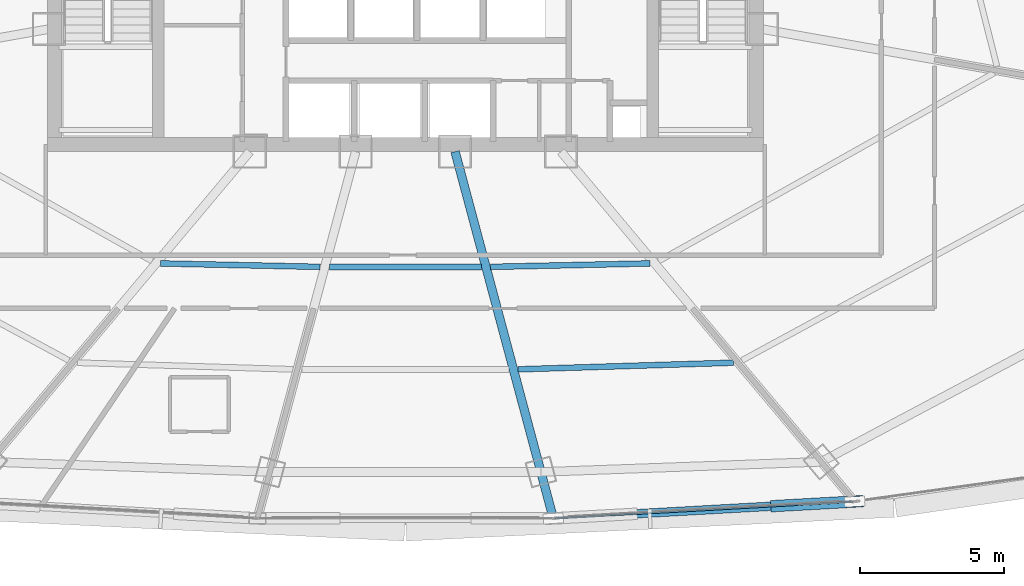
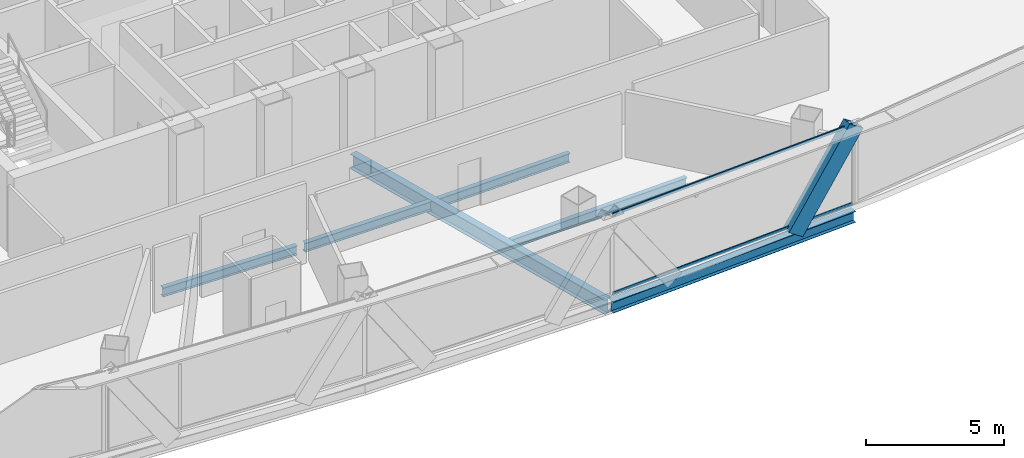
# One storey, part 13 of 38: 6 beams, 3 members, 1 element without a shape of its own.
"""IFC4 building model written with IfcOpenShell, lengths in metres."""

import ifcopenshell
import ifcopenshell.guid

model = None  # the IFC model being written
_history = None  # IfcOwnerHistory: only IFC2X3 demands one
_inside = {}  # id of a spatial element -> (the spatial element, [elements in it])
_under = {}  # id of a project, library or spatial element -> (it, [spatial elements below it])
_declared = {}  # id of a project -> (the project, [libraries it declares])
_typed = {}  # id of a type object -> (the type object, [elements of that type])
_made_of = {}  # id of a material, layer set ... -> (it, [elements and type objects made of it])


def new_model(schema):
    """Start an empty IFC model of exactly this schema.

    Asked for "IFC4X3", IfcOpenShell would pick the latest addendum, in which some entities
    have other attributes; the version numbers below select the first issue.
    IFC2X3 requires an IfcOwnerHistory on every rooted entity: one is made here for all.
    """
    global model, _history
    if schema == "IFC4X3":
        model = ifcopenshell.file(schema_version=(4, 3, 0, 0))
    else:
        model = ifcopenshell.file(schema=schema)
    _inside.clear()
    _under.clear()
    _declared.clear()
    _typed.clear()
    _made_of.clear()
    _history = None
    if model.schema == "IFC2X3":
        org = make("IfcOrganization", Name="unknown")
        user = make(
            "IfcPersonAndOrganization",
            ThePerson=make("IfcPerson", FamilyName="unknown"),
            TheOrganization=org,
        )
        app = make(
            "IfcApplication",
            ApplicationDeveloper=org,
            Version="unknown",
            ApplicationFullName="unknown",
            ApplicationIdentifier="unknown",
        )
        _history = make(
            "IfcOwnerHistory",
            OwningUser=user,
            OwningApplication=app,
            ChangeAction="ADDED",
            CreationDate=0,
        )
    return model


def make(cls, **values):
    """One entity of the class cls with the attributes given. An attribute that is None is left unset."""
    return model.create_entity(
        cls, **{name: value for name, value in values.items() if value is not None}
    )


def rooted(cls, **values):
    """An entity with a GlobalId (a new one), such as an element, a storey or a relation."""
    return make(cls, GlobalId=ifcopenshell.guid.new(), OwnerHistory=_history, **values)


def si_unit(unit_type, name, prefix=None):
    """IfcSIUnit, for example si_unit("LENGTHUNIT", "METRE", prefix="MILLI")."""
    return make("IfcSIUnit", UnitType=unit_type, Prefix=prefix, Name=name)


def assignment(units):
    """IfcUnitAssignment: the units of a project."""
    return None if units is None else make("IfcUnitAssignment", Units=units)


def point(xyz):
    """IfcCartesianPoint."""
    return None if xyz is None else make("IfcCartesianPoint", Coordinates=xyz)


def direction(xyz):
    """IfcDirection."""
    return None if xyz is None else make("IfcDirection", DirectionRatios=xyz)


def frame(location, z_axis=None, x_axis=None):
    """IfcAxis2Placement3D, a coordinate frame: its origin and axes. An axis left out is left unset."""
    return make(
        "IfcAxis2Placement3D",
        Location=point(location),
        Axis=direction(z_axis),
        RefDirection=direction(x_axis),
    )


def frame_2d(location, x_axis=None):
    """IfcAxis2Placement2D, a coordinate frame in the plane: its origin and x axis."""
    return make(
        "IfcAxis2Placement2D", Location=point(location), RefDirection=direction(x_axis)
    )


def origin():
    """The frame at (0, 0, 0) with its axes left unset."""
    return frame((0.0, 0.0, 0.0))


def origin_2d():
    """The frame at (0, 0) in the plane with its x axis left unset."""
    return frame_2d((0.0, 0.0))


def place(relative_to, where):
    """IfcLocalPlacement: puts the frame where relative to a parent placement (None: the world)."""
    return make(
        "IfcLocalPlacement", PlacementRelTo=relative_to, RelativePlacement=where
    )


def context(
    kind, dimensions, precision=None, world=None, true_north=None, identifier=None
):
    """IfcGeometricRepresentationContext, for example the 3D "Model" context."""
    return make(
        "IfcGeometricRepresentationContext",
        ContextIdentifier=identifier,
        ContextType=kind,
        CoordinateSpaceDimension=dimensions,
        Precision=precision,
        WorldCoordinateSystem=world,
        TrueNorth=true_north,
    )


def subcontext(parent, identifier, kind, view, scale=None):
    """IfcGeometricRepresentationSubContext, for example "Body" below "Model"."""
    return make(
        "IfcGeometricRepresentationSubContext",
        ContextIdentifier=identifier,
        ContextType=kind,
        ParentContext=parent,
        TargetScale=scale,
        TargetView=view,
    )


def project(units=None, contexts=None):
    """IfcProject with its units and contexts."""
    return rooted(
        "IfcProject",
        Name="project",
        RepresentationContexts=contexts,
        UnitsInContext=assignment(units),
    )


def spatial(cls, under=None, at=None, **own):
    """A site, building, storey or space (cls), placed at a placement, below another one or the project."""
    s = rooted(cls, ObjectPlacement=at, **own)
    if under is not None:
        _under.setdefault(under.id(), (under, []))[1].append(s)
    return s


def profile(cls, at=None, kind="AREA", **sizes):
    """A parametric profile (cls). Its sizes go by their IFC names, for example OverallWidth=200.0."""
    return make(cls, ProfileType=kind, Position=at, **sizes)


def hollow_rectangle(**sizes):
    """IfcRectangleHollowProfileDef."""
    return profile("IfcRectangleHollowProfileDef", **sizes)


def i_section(**sizes):
    """IfcIShapeProfileDef."""
    return profile("IfcIShapeProfileDef", **sizes)


def extrude(swept, where, along, depth):
    """IfcExtrudedAreaSolid: the profile swept, set in the frame where, extruded along a direction by depth."""
    return make(
        "IfcExtrudedAreaSolid",
        SweptArea=swept,
        Position=where,
        ExtrudedDirection=direction(along),
        Depth=depth,
    )


def shape(context_of_items, identifier, shape_type, items):
    """IfcShapeRepresentation: the items that make up one representation, for example the "Body"."""
    return make(
        "IfcShapeRepresentation",
        ContextOfItems=context_of_items,
        RepresentationIdentifier=identifier,
        RepresentationType=shape_type,
        Items=items,
    )


def source(mapping_origin, context_of_items, identifier, shape_type, items):
    """IfcRepresentationMap: a shape defined once, which mapped items show again and again."""
    return make(
        "IfcRepresentationMap",
        MappingOrigin=mapping_origin,
        MappedRepresentation=shape(context_of_items, identifier, shape_type, items),
    )


def transform(
    local_origin,
    x_axis=None,
    y_axis=None,
    z_axis=None,
    scale=None,
    scale2=None,
    scale3=None,
    uniform=True,
):
    """IfcCartesianTransformationOperator3D, or its non-uniform kind. x_axis, y_axis, z_axis: its Axis1, 2, 3."""
    if uniform:
        return make(
            "IfcCartesianTransformationOperator3D",
            Axis1=direction(x_axis),
            Axis2=direction(y_axis),
            LocalOrigin=point(local_origin),
            Scale=scale,
            Axis3=direction(z_axis),
        )
    return make(
        "IfcCartesianTransformationOperator3DnonUniform",
        Axis1=direction(x_axis),
        Axis2=direction(y_axis),
        LocalOrigin=point(local_origin),
        Scale=scale,
        Axis3=direction(z_axis),
        Scale2=scale2,
        Scale3=scale3,
    )


def mapped(mapping_source, mapping_target):
    """IfcMappedItem: shows the shape of a source again, moved by a transform."""
    return make(
        "IfcMappedItem", MappingSource=mapping_source, MappingTarget=mapping_target
    )


def material(Name=None, Category=None):
    """IfcMaterial."""
    return make("IfcMaterial", Name=Name, Category=Category)


def layer(
    of_material, thickness, ventilated=None, Name=None, Category=None, Priority=None
):
    """IfcMaterialLayer: one layer of a wall or slab, of a material (None: an air gap)."""
    return make(
        "IfcMaterialLayer",
        Material=of_material,
        LayerThickness=thickness,
        IsVentilated=ventilated,
        Name=Name,
        Category=Category,
        Priority=Priority,
    )


def layer_set(layers, Name=None):
    """IfcMaterialLayerSet."""
    return make("IfcMaterialLayerSet", MaterialLayers=layers, LayerSetName=Name)


def material_profile(
    of_material, cross_section, Name=None, Category=None, Priority=None
):
    """IfcMaterialProfile: a cross section and its material."""
    return make(
        "IfcMaterialProfile",
        Name=Name,
        Material=of_material,
        Profile=cross_section,
        Priority=Priority,
        Category=Category,
    )


def profile_set(profiles, Name=None, composite=None):
    """IfcMaterialProfileSet."""
    return make(
        "IfcMaterialProfileSet",
        Name=Name,
        MaterialProfiles=profiles,
        CompositeProfile=composite,
    )


def made_of(thing, what):
    """Note that an element or type object is made of a material, layer set ...; save() writes the relation."""
    if what is not None:
        _made_of.setdefault(what.id(), (what, []))[1].append(thing)
    return thing


def type_object(cls, material=None, **own):
    """A type object (cls), such as IfcWallType, which elements share."""
    return made_of(rooted(cls, **own), material)


def element(
    cls,
    number,
    at=None,
    inside=None,
    cuts=None,
    type_object=None,
    material=None,
    context=None,
    identifier="Body",
    shape_type=None,
    held_by="IfcProductDefinitionShape",
    body=None,
    shapes=None,
    **own,
):
    """One element of the class cls, such as IfcWall. Its Tag is "e" and its number.

    at: its placement. inside: the storey or other place that contains it. cuts: it is an
    opening in that element (IfcRelVoidsElement). A single representation is given by context,
    identifier, shape_type and body (its items); several are given by shapes. held_by: the class
    of the entity that holds the representations. save() writes the other relations.
    """
    e = rooted(cls, Tag="e%d" % number, ObjectPlacement=at, **own)
    if body is not None:
        shapes = [shape(context, identifier, shape_type, body)]
    if shapes is not None:
        e.Representation = make(held_by, Representations=shapes)
    if inside is not None:
        _inside.setdefault(inside.id(), (inside, []))[1].append(e)
    if cuts is not None:
        rooted(
            "IfcRelVoidsElement", RelatingBuildingElement=cuts, RelatedOpeningElement=e
        )
    if type_object is not None:
        _typed.setdefault(type_object.id(), (type_object, []))[1].append(e)
    return made_of(e, material)


def aggregate(whole, parts):
    """IfcRelAggregates: a whole, such as a stair, and the parts it consists of."""
    return rooted("IfcRelAggregates", RelatingObject=whole, RelatedObjects=parts)


def save(model, path):
    """Write the relations noted so far, then the file.

    IfcRelAggregates (storeys below a building ...), IfcRelContainedInSpatialStructure (elements
    in a storey), IfcRelDefinesByType, IfcRelAssociatesMaterial and IfcRelDeclares: one each for
    every whole, place, type object, material and project.
    """
    for whole, parts in _under.values():
        aggregate(whole, parts)
    for where, things in _inside.values():
        rooted(
            "IfcRelContainedInSpatialStructure",
            RelatedElements=things,
            RelatingStructure=where,
        )
    for kind, things in _typed.values():
        rooted("IfcRelDefinesByType", RelatedObjects=things, RelatingType=kind)
    for what, things in _made_of.values():
        rooted("IfcRelAssociatesMaterial", RelatedObjects=things, RelatingMaterial=what)
    for by, libraries in _declared.values():
        rooted("IfcRelDeclares", RelatingContext=by, RelatedDefinitions=libraries)
    model.write(path)


model = new_model("IFC4")

# Units and contexts
model_context = context("Model", 3, precision=1e-05, world=origin(), true_north=direction((0.0, 1.0)))
body_context = subcontext(model_context, "Body", "Model", "MODEL_VIEW")
ifc_project = project(units=[si_unit("LENGTHUNIT", "METRE"), si_unit("AREAUNIT", "SQUARE_METRE"), si_unit("VOLUMEUNIT", "CUBIC_METRE"), si_unit("PLANEANGLEUNIT", "RADIAN"), si_unit("MASSUNIT", "GRAM", prefix="KILO"), si_unit("THERMODYNAMICTEMPERATUREUNIT", "KELVIN"), si_unit("POWERUNIT", "WATT")], contexts=[model_context])

# Site, building, storey
site_placement = place(None, origin())
site = spatial("IfcSite", under=ifc_project, at=site_placement, CompositionType="ELEMENT")
building_placement = place(site_placement, origin())
building = spatial("IfcBuilding", under=site, at=building_placement, Name="Yunzhuo Pagoda Commons", CompositionType="ELEMENT")
storey_placement = place(building_placement, frame((0.0, 0.0, 203.760009765625)))
storey = spatial("IfcBuildingStorey", under=building, at=storey_placement, Name="L51", CompositionType="ELEMENT", Elevation=203.760009765625)

# Beams
ifc_material_1 = material(Name="Structural steel Q355B", Category="steel")
ifc_material_profile_1 = material_profile(ifc_material_1, i_section(OverallWidth=0.199951171875, OverallDepth=0.39990234375, WebThickness=0.008056640625, FlangeThickness=0.012939453125, at=origin_2d()), Name="Structural steel Q355B")
ifc_profile_set_1 = profile_set([ifc_material_profile_1], Name="Structural steel Q355B")
beam_type_1 = type_object("IfcBeamType", Name="B-JS1 Joist HN 400x200x8x13", PredefinedType="JOIST", material=ifc_profile_set_1)
shared_shape_1 = source(origin(), body_context, "Body", "SweptSolid", [
    extrude(i_section(OverallWidth=0.199951171875, OverallDepth=0.39990234375, WebThickness=0.008056640625, FlangeThickness=0.012939453125, at=origin_2d()), origin(), (0.0, 0.0, 1.0), 5.550537109375),
])
for number, where, z_axis, x_axis, name in (
    (1, (39.489013671875, 23.3642578125, -0.4599609375), (0.99976582056, -0.021640333643, 0.0), (0.021640333643, 0.99976582056, 0.0), "L51 composite ring joist 1.1"),
    (2, (50.961669921875, 23.244140625, -0.4599609375), (0.99976582056, 0.021640333643, 0.0), (-0.021640333643, 0.99976582056, 0.0), "L51 composite ring joist 1.3"),
):
    element("IfcBeam", number, at=place(storey_placement, frame(where, z_axis=z_axis, x_axis=x_axis)), inside=storey, type_object=beam_type_1, Name=name, PredefinedType="JOIST", context=body_context, shape_type="MappedRepresentation", body=[
        mapped(shared_shape_1, transform((0.0, 0.0, 0.0), scale=1.0)),
    ])
shared_shape_2 = source(origin(), body_context, "Body", "SweptSolid", [
    extrude(i_section(OverallWidth=0.199951171875, OverallDepth=0.39990234375, WebThickness=0.008056640625, FlangeThickness=0.012939453125, at=origin_2d()), origin(), (0.0, 0.0, 1.0), 7.49365234375),
])
beam_1_placement = place(storey_placement, frame((51.91650390625, 19.68115234375, -0.4599609375), z_axis=(0.99952593018, 0.030788226605, 0.0), x_axis=(-0.030788226605, 0.99952593018, 0.0)))
element("IfcBeam", 3, at=beam_1_placement, inside=storey, type_object=beam_type_1, Name="L51 composite ring joist 2.3", PredefinedType="JOIST", context=body_context, shape_type="MappedRepresentation", body=[
    mapped(shared_shape_2, transform((0.0, 0.0, 0.0), scale=1.0)),
])
shared_shape_3 = source(origin(), body_context, "Body", "SweptSolid", [
    extrude(i_section(OverallWidth=0.199951171875, OverallDepth=0.39990234375, WebThickness=0.008056640625, FlangeThickness=0.012939453125, at=origin_2d()), origin(), (0.0, 0.0, 1.0), 5.287109375),
])
beam_2_placement = place(storey_placement, frame((45.3564453125, 23.24072265625, -0.4599609375), z_axis=(1.0, 0.0, 0.0), x_axis=(0.0, 1.0, 0.0)))
element("IfcBeam", 4, at=beam_2_placement, inside=storey, type_object=beam_type_1, Name="L51 composite ring joist 1.2", PredefinedType="JOIST", context=body_context, shape_type="MappedRepresentation", body=[
    mapped(shared_shape_3, transform((0.0, 0.0, 0.0), scale=1.0)),
])
ifc_material_profile_2 = material_profile(ifc_material_1, i_section(OverallWidth=0.300048828125, OverallDepth=0.64990234375, WebThickness=0.012939453125, FlangeThickness=0.02197265625, at=origin_2d()), Name="Structural steel Q355B")
ifc_profile_set_2 = profile_set([ifc_material_profile_2], Name="Structural steel Q355B")
beam_type_2 = type_object("IfcBeamType", Name="B-RG2 Beam HN 650x300x13x22", PredefinedType="BEAM", material=ifc_profile_set_2)
shared_shape_4 = source(origin(), body_context, "Body", "SweptSolid", [
    extrude(i_section(OverallWidth=0.300048828125, OverallDepth=0.64990234375, WebThickness=0.012939453125, FlangeThickness=0.02197265625, at=origin_2d()), origin(), (0.0, 0.0, 1.0), 13.048095703125),
])
beam_3_placement = place(storey_placement, frame((53.10546875, 14.646484375, -0.5849609375), z_axis=(-0.258808411575, 0.965928675472, 0.0), x_axis=(-0.965928675472, -0.258808411575, 0.0)))
element("IfcBeam", 5, at=beam_3_placement, inside=storey, type_object=beam_type_2, Name="L51 radial floor girder F1C3", PredefinedType="BEAM", context=body_context, shape_type="MappedRepresentation", body=[
    mapped(shared_shape_4, transform((0.0, 0.0, 0.0), scale=1.0)),
])
ifc_material_profile_3 = material_profile(ifc_material_1, i_section(OverallWidth=0.300048828125, OverallDepth=0.488037109375, WebThickness=0.010986328125, FlangeThickness=0.01806640625, at=origin_2d()), Name="Structural steel Q355B")
ifc_profile_set_3 = profile_set([ifc_material_profile_3], Name="Structural steel Q355B")
beam_type_3 = type_object("IfcBeamType", Name="B-SP1 Beam HM 488x300x11x18", PredefinedType="BEAM", material=ifc_profile_set_3)
shared_shape_5 = source(origin(), body_context, "Body", "SweptSolid", [
    extrude(i_section(OverallWidth=0.300048828125, OverallDepth=0.488037109375, WebThickness=0.010986328125, FlangeThickness=0.01806640625, at=origin_2d()), origin(), (0.0, 0.0, 1.0), 10.49267578125),
])
beam_4_placement = place(storey_placement, frame((53.1455078125, 14.496826171875, -0.503662109375), z_axis=(0.998439593407, 0.055842441895, 0.0), x_axis=(-0.055842441895, 0.998439593407, 0.0)))
element("IfcBeam", 6, at=beam_4_placement, inside=storey, type_object=beam_type_3, Name="L51 facade edge spandrel beam F1.3", PredefinedType="BEAM", context=body_context, shape_type="MappedRepresentation", body=[
    mapped(shared_shape_5, transform((0.0, 0.0, 0.0), scale=1.0)),
])

# Member
ifc_material_profile_4 = material_profile(ifc_material_1, hollow_rectangle(XDim=0.39990234375, YDim=0.719970703125, WallThickness=0.02392578125, at=origin_2d()), Name="Structural steel Q355B")
ifc_profile_set_4 = profile_set([ifc_material_profile_4], Name="Structural steel Q355B")
member_type_1 = type_object("IfcMemberType", Name="M-DL2 Brace BOX 720x400x24", PredefinedType="BRACE", material=ifc_profile_set_4)
shared_shape_6 = source(origin(), body_context, "Body", "SweptSolid", [
    extrude(hollow_rectangle(XDim=0.39990234375, YDim=0.719970703125, WallThickness=0.02392578125, at=origin_2d()), origin(), (0.0, 0.0, 1.0), 4.617431640625),
])
member_1_placement = place(storey_placement, frame((61.0029296875, 14.93603515625, -0.260009765625), z_axis=(0.567178088903, 0.031777200655, 0.822981910486), x_axis=(-0.055939120266, 0.998434181518, 0.0)))
element("IfcMember", 7, at=member_1_placement, inside=storey, type_object=member_type_1, Name="L51 facade diamond brace F1.3R", PredefinedType="BRACE", context=body_context, shape_type="MappedRepresentation", body=[
    mapped(shared_shape_6, transform((0.0, 0.0, 0.0), scale=1.0)),
])

# Curtain wall, members
ifc_material_2 = material(Name="Anodized aluminium 6063-T6", Category="aluminium")
ifc_layer = layer(ifc_material_2, 0.14990234375)
ifc_layer_set = layer_set([ifc_layer], Name="Anodized aluminium 6063-T6")
curtain_wall_type = type_object("IfcCurtainWallType", Name="CW-MID Mid-Zone Ribbon Curtain Wall", PredefinedType="NOTDEFINED", material=ifc_layer_set)
curtain_wall_placement = place(storey_placement, origin())
curtain_wall = element("IfcCurtainWall", 8, at=curtain_wall_placement, inside=storey, type_object=curtain_wall_type, Name="L51 curtain wall CW-L51-F1B4", PredefinedType="NOTDEFINED")
ifc_material_profile_5 = material_profile(ifc_material_2, hollow_rectangle(XDim=0.054931640625, YDim=0.1298828125, WallThickness=0.00341796875, at=origin_2d()), Name="Anodized aluminium 6063-T6")
ifc_profile_set_5 = profile_set([ifc_material_profile_5], Name="Anodized aluminium 6063-T6")
member_type_2 = type_object("IfcMemberType", Name="CW-MID-T Transom RHS 130x55x3.5", PredefinedType="USERDEFINED", material=ifc_profile_set_5)
shared_shape_7 = source(origin(), body_context, "Body", "SweptSolid", [
    extrude(hollow_rectangle(XDim=0.054931640625, YDim=0.1298828125, WallThickness=0.00341796875, at=origin_2d()), origin(), (0.0, 0.0, 1.0), 10.372802734375),
])
member_2_placement = place(storey_placement, frame((53.205322265625, 14.500244140625, 0.027587890625), z_axis=(0.998441685065, 0.055805031359, 0.0), x_axis=(-0.055805031359, 0.998441685065, 0.0)))
member_2 = element("IfcMember", 9, at=member_2_placement, type_object=member_type_2, Name="CW transom 1.1", ObjectType="TRANSOM", PredefinedType="USERDEFINED", context=body_context, shape_type="MappedRepresentation", body=[
    mapped(shared_shape_7, transform((0.0, 0.0, 0.0), scale=1.0)),
])
member_3_placement = place(storey_placement, frame((53.205322265625, 14.500244140625, 3.512451171875), z_axis=(0.998441685065, 0.055805031359, 0.0), x_axis=(-0.055805031359, 0.998441685065, 0.0)))
member_3 = element("IfcMember", 10, at=member_3_placement, type_object=member_type_2, Name="CW transom 1.2", ObjectType="TRANSOM", PredefinedType="USERDEFINED", context=body_context, shape_type="MappedRepresentation", body=[
    mapped(shared_shape_7, transform((0.0, 0.0, 0.0), scale=1.0)),
])
aggregate(curtain_wall, [member_2, member_3])

save(model, "model.ifc")
